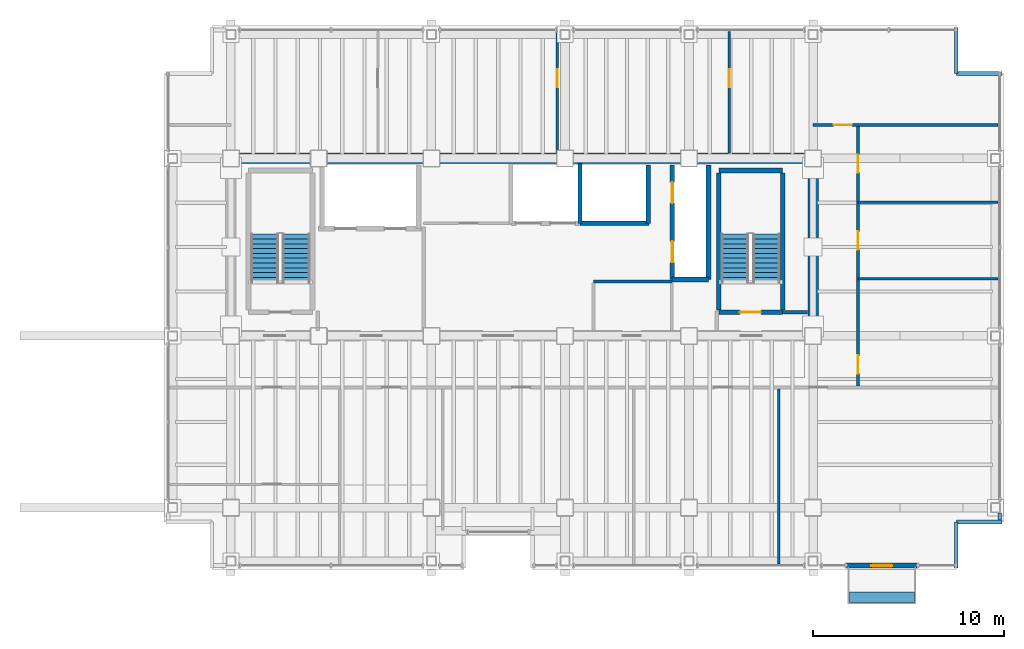
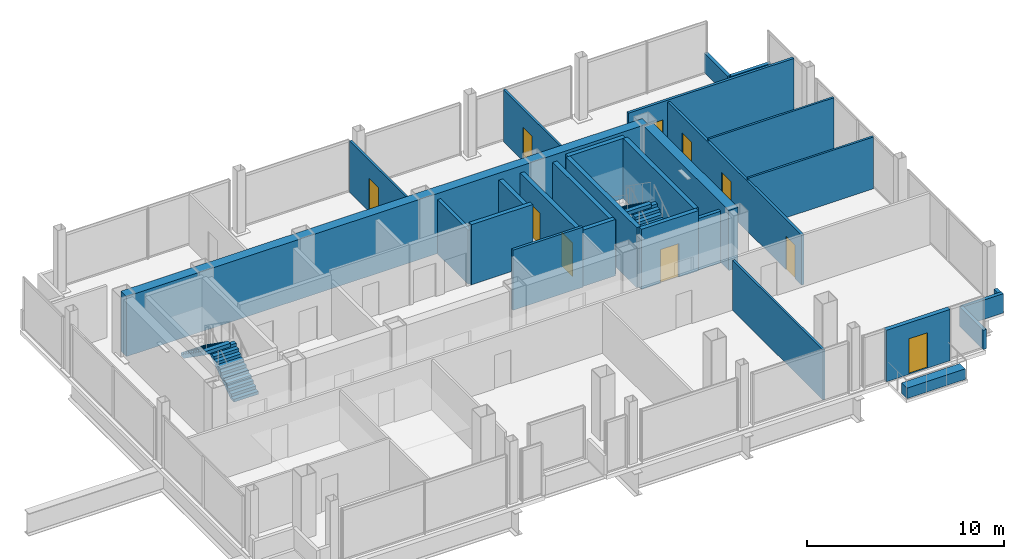
# One storey, part 17 of 19: 27 walls, 10 doors, 4 stair flights, 1 discrete accessory, 10 openings, 2 elements without a shape of their own.
"""IFC4 building model written with IfcOpenShell, lengths in metres."""

from ifc_helpers import new_model, si_unit, direction, frame, frame_2d, origin, origin_2d, place, context, subcontext, project, spatial, polyline, rectangle, outline, extrude, material, layer, layer_set, type_object, element, fill, aggregate, save


model = new_model("IFC4")

# Units and contexts
model_context = context("Model", 3, precision=1e-05, world=origin(), true_north=direction((0.0, 1.0)))
body_context = subcontext(model_context, "Body", "Model", "MODEL_VIEW")
ifc_project = project(units=[si_unit("LENGTHUNIT", "METRE"), si_unit("AREAUNIT", "SQUARE_METRE"), si_unit("VOLUMEUNIT", "CUBIC_METRE"), si_unit("PLANEANGLEUNIT", "RADIAN"), si_unit("MASSUNIT", "GRAM", prefix="KILO")], contexts=[model_context])

# Site, building, storey
site_placement = place(None, origin())
site = spatial("IfcSite", under=ifc_project, at=site_placement, CompositionType="ELEMENT")
building_placement = place(site_placement, origin())
building = spatial("IfcBuilding", under=site, at=building_placement, Name="Noeulbin Bourse Tower", CompositionType="ELEMENT")
storey_placement = place(building_placement, frame((0.0, 0.0, 169.5)))
storey = spatial("IfcBuildingStorey", under=building, at=storey_placement, Name="L42", CompositionType="ELEMENT", Elevation=169.5)

# Walls
ifc_material_1 = material(Name="Concrete C60/75", Category="concrete")
ifc_layer_1 = layer(ifc_material_1, 0.550048828125)
ifc_layer_set_1 = layer_set([ifc_layer_1], Name="Concrete C60/75")
wall_type_1 = type_object("IfcWallType", Name="WAL-CORE-550", PredefinedType="SHEAR", material=ifc_layer_set_1)
wall_1_placement = place(storey_placement, frame((13.5, 38.300048828125, 0.0), z_axis=(0.0, 0.0, 1.0), x_axis=(1.0, 0.0, 0.0)))
element("IfcWall", 1, at=wall_1_placement, inside=storey, type_object=wall_type_1, Name="Rear Core North Shear Wall L42", PredefinedType="SHEAR", context=body_context, shape_type="SweptSolid", body=[
    extrude(rectangle(XDim=30.5, YDim=0.550048828125, at=frame_2d((15.25, 0.0))), origin(), (0.0, 0.0, 1.0), 3.719970703125),
])
wall_2_placement = place(storey_placement, frame((44.0, 29.35009765625, 0.0), z_axis=(0.0, 0.0, 1.0), x_axis=(0.0, 1.0, 0.0)))
element("IfcWall", 2, at=wall_2_placement, inside=storey, type_object=wall_type_1, Name="Rear Core East Shear Wall L42", PredefinedType="SHEAR", context=body_context, shape_type="SweptSolid", body=[
    extrude(rectangle(XDim=8.599853515625, YDim=0.550048828125, at=frame_2d((4.2998046875, 0.0))), origin(), (0.0, 0.0, 1.0), 3.719970703125),
])

# Wall, opening, door
ifc_material_2 = material(Name="Precast Concrete C40/50", Category="concrete")
ifc_layer_2 = layer(ifc_material_2, 0.25)
ifc_layer_set_2 = layer_set([ifc_layer_2], Name="Precast Concrete C40/50")
wall_type_2 = type_object("IfcWallType", Name="WAL-EXT-250", PredefinedType="STANDARD", material=ifc_layer_set_2)
wall_3_placement = place(storey_placement, frame((45.75, 16.969970703125, 0.0), z_axis=(0.0, 0.0, 1.0), x_axis=(1.0, 0.0, 0.0)))
wall_3 = element("IfcWall", 3, at=wall_3_placement, inside=storey, type_object=wall_type_2, Name="Balcony Threshold Wall L42", PredefinedType="STANDARD", context=body_context, shape_type="SweptSolid", body=[
    extrude(rectangle(XDim=3.699951171875, YDim=0.25, at=frame_2d((1.85009765625, 0.0))), origin(), (0.0, 0.0, 1.0), 3.179931640625),
])
opening_1_placement = place(wall_3_placement, frame((1.300048828125, 0.0, 0.0)))
opening_1 = element("IfcOpeningElement", 4, at=opening_1_placement, cuts=wall_3, Name="Opening BD-11", PredefinedType="OPENING", context=body_context, shape_type="SweptSolid", body=[
    extrude(rectangle(XDim=1.10009765625, YDim=2.199951171875, at=frame_2d((0.550048828125, 1.10009765625))), frame((0.0, 0.135009765625, 0.0), z_axis=(0.0, -1.0, 0.0), x_axis=(1.0, 0.0, 0.0)), (0.0, 0.0, 1.0), 0.27001953125),
])
ifc_material_3 = material(Name="Thermally Broken Aluminium Framed Glass", Category="aluminium")
door_type_1 = type_object("IfcDoorType", Name="DR-BAL-1100", OperationType="SINGLE_SWING_LEFT", PredefinedType="DOOR", material=ifc_material_3)
door_1_placement = place(opening_1_placement, origin())
door_1 = element("IfcDoor", 5, at=door_1_placement, inside=storey, type_object=door_type_1, Name="Tree-Balcony Access Door BD-L42", OperationType="SINGLE_SWING_RIGHT", OverallHeight=2.199951171875, OverallWidth=1.10009765625, PredefinedType="DOOR", context=body_context, shape_type="SweptSolid", body=[
    extrude(rectangle(XDim=1.10009765625, YDim=2.199951171875, at=frame_2d((0.550048828125, 1.10009765625))), frame((0.0, 0.02490234375, 0.0), z_axis=(0.0, -1.0, 0.0), x_axis=(1.0, 0.0, 0.0)), (0.0, 0.0, 1.0), 0.050048828125),
])
fill(opening_1, door_1)

# Walls
ifc_material_4 = material(Name="Concrete C40/50", Category="concrete")
ifc_layer_3 = layer(ifc_material_4, 0.199951171875)
ifc_layer_set_3 = layer_set([ifc_layer_3], Name="Concrete C40/50")
wall_type_3 = type_object("IfcWallType", Name="WAL-FIRE-200", PredefinedType="STANDARD", material=ifc_layer_set_3)
wall_4_placement = place(storey_placement, frame((42.39990234375, 30.239990234375, 0.0), z_axis=(0.0, 0.0, 1.0), x_axis=(1.0, 0.0, 0.0)))
element("IfcWall", 6, at=wall_4_placement, inside=storey, type_object=wall_type_3, Name="Interior Partition Wall L42-01", PredefinedType="STANDARD", context=body_context, shape_type="SweptSolid", body=[
    extrude(rectangle(XDim=1.315185546875, YDim=0.199951171875, at=frame_2d((0.65771484375, 0.0))), origin(), (0.0, 0.0, 1.0), 3.199951171875),
])
ifc_layer_4 = layer(ifc_material_4, 0.199951171875)
ifc_layer_set_4 = layer_set([ifc_layer_4], Name="Concrete C40/50")
wall_type_4 = type_object("IfcWallType", Name="WAL-PAR-200", PredefinedType="PARAPET", material=ifc_layer_set_4)
wall_5_placement = place(storey_placement, frame((53.780029296875, 19.35009765625, 0.0), z_axis=(0.0, 0.0, 1.0), x_axis=(0.0, 1.0, 0.0)))
element("IfcWall", 7, at=wall_5_placement, inside=storey, type_object=wall_type_4, Name="Perimeter Pier Spandrel Parapet L42-E3", PredefinedType="PARAPET", context=body_context, shape_type="SweptSolid", body=[
    extrude(rectangle(XDim=0.3798828125, YDim=0.199951171875, at=frame_2d((0.18994140625, 0.0))), origin(), (0.0, 0.0, 1.0), 1.199951171875),
])
for number, where, z_axis, x_axis, name in (
    (8, (51.5, 16.85009765625, 0.0), (0.0, 0.0, 1.0), (0.0, 1.0, 0.0), "Corner Notch Parapet L42-SE1"),
    (9, (51.5, 19.25, 0.0), (0.0, 0.0, 1.0), (1.0, 0.0, 0.0), "Corner Notch Parapet L42-SE2"),
    (10, (51.5, 45.14990234375, 0.0), (0.0, 0.0, 1.0), (0.0, -1.0, 0.0), "Corner Notch Parapet L42-NE1"),
    (11, (51.5, 42.75, 0.0), (0.0, 0.0, 1.0), (1.0, 0.0, 0.0), "Corner Notch Parapet L42-NE2"),
):
    element("IfcWall", number, at=place(storey_placement, frame(where, z_axis=z_axis, x_axis=x_axis)), inside=storey, type_object=wall_type_4, Name=name, PredefinedType="PARAPET", context=body_context, shape_type="SweptSolid", body=[
        extrude(rectangle(XDim=2.39990234375, YDim=0.199951171875, at=frame_2d((1.199951171875, 0.0))), origin(), (0.0, 0.0, 1.0), 1.199951171875),
    ])
ifc_material_5 = material(Name="Steel Stud Gypsum Partition", Category="steel")
ifc_layer_5 = layer(ifc_material_5, 0.1201171875)
ifc_layer_set_5 = layer_set([ifc_layer_5], Name="Steel Stud Gypsum Partition")
wall_type_5 = type_object("IfcWallType", Name="WAL-PRT-120", PredefinedType="PARTITIONING", material=ifc_layer_set_5)
for number, where, z_axis, x_axis, name in (
    (12, (46.35009765625, 32.0, 0.0), (0.0, 0.0, 1.0), (1.0, 0.0, 0.0), "Interior Partition Wall L42-06"),
    (13, (46.35009765625, 36.0, 0.0), (0.0, 0.0, 1.0), (1.0, 0.0, 0.0), "Interior Partition Wall L42-07"),
):
    element("IfcWall", number, at=place(storey_placement, frame(where, z_axis=z_axis, x_axis=x_axis)), inside=storey, type_object=wall_type_5, Name=name, PredefinedType="PARTITIONING", context=body_context, shape_type="SweptSolid", body=[
        extrude(rectangle(XDim=7.33984375, YDim=0.1201171875, at=frame_2d((3.669921875, 0.0))), origin(), (0.0, 0.0, 1.0), 3.2119140625),
    ])
wall_6_placement = place(storey_placement, frame((42.199951171875, 17.06005859375, 0.0), z_axis=(0.0, 0.0, 1.0), x_axis=(0.0, 1.0, 0.0)))
element("IfcWall", 14, at=wall_6_placement, inside=storey, type_object=wall_type_5, Name="Interior Partition Wall L42-19", PredefinedType="PARTITIONING", context=body_context, shape_type="SweptSolid", body=[
    extrude(rectangle(XDim=9.155029296875, YDim=0.1201171875, at=frame_2d((4.57763671875, 0.0))), origin(), (0.0, 0.0, 1.0), 3.10009765625),
])

# Wall, opening, door
wall_7_placement = place(storey_placement, frame((30.60009765625, 38.5849609375, 0.0), z_axis=(0.0, 0.0, 1.0), x_axis=(0.0, 1.0, 0.0)))
wall_7 = element("IfcWall", 15, at=wall_7_placement, inside=storey, type_object=wall_type_5, Name="Interior Partition Wall L42-21", PredefinedType="PARTITIONING", context=body_context, shape_type="SweptSolid", body=[
    extrude(rectangle(XDim=6.35498046875, YDim=0.1201171875, at=frame_2d((3.177490234375, 0.0))), origin(), (0.0, 0.0, 1.0), 3.199951171875),
])
opening_2_placement = place(wall_7_placement, frame((3.43505859375, 0.0, 0.0)))
opening_2 = element("IfcOpeningElement", 16, at=opening_2_placement, cuts=wall_7, Name="Opening ID-09", PredefinedType="OPENING", context=body_context, shape_type="SweptSolid", body=[
    extrude(rectangle(XDim=0.949951171875, YDim=2.080078125, at=frame_2d((0.47509765625, 1.0400390625))), frame((0.0, 0.070068359375, 0.0), z_axis=(0.0, -1.0, 0.0), x_axis=(1.0, 0.0, 0.0)), (0.0, 0.0, 1.0), 0.14013671875),
])
ifc_material_6 = material(Name="Acoustic Solid-Core Timber", Category="wood")
door_type_2 = type_object("IfcDoorType", Name="DR-SINGLE-950", OperationType="SINGLE_SWING_LEFT", PredefinedType="DOOR", material=ifc_material_6)
door_2_placement = place(opening_2_placement, origin())
door_2 = element("IfcDoor", 17, at=door_2_placement, inside=storey, type_object=door_type_2, Name="Interior Door L42-18", OperationType="SINGLE_SWING_LEFT", OverallHeight=2.080078125, OverallWidth=0.949951171875, PredefinedType="DOOR", context=body_context, shape_type="SweptSolid", body=[
    extrude(rectangle(XDim=0.949951171875, YDim=2.080078125, at=frame_2d((0.47509765625, 1.0400390625))), frame((0.0, 0.02490234375, 0.0), z_axis=(0.0, -1.0, 0.0), x_axis=(1.0, 0.0, 0.0)), (0.0, 0.0, 1.0), 0.050048828125),
])
fill(opening_2, door_2)

wall_8_placement = place(storey_placement, frame((39.60009765625, 38.5849609375, 0.0), z_axis=(0.0, 0.0, 1.0), x_axis=(0.0, 1.0, 0.0)))
wall_8 = element("IfcWall", 18, at=wall_8_placement, inside=storey, type_object=wall_type_5, Name="Interior Partition Wall L42-22", PredefinedType="PARTITIONING", context=body_context, shape_type="SweptSolid", body=[
    extrude(rectangle(XDim=6.35498046875, YDim=0.1201171875, at=frame_2d((3.177490234375, 0.0))), origin(), (0.0, 0.0, 1.0), 3.2119140625),
])
opening_3_placement = place(wall_8_placement, frame((3.43505859375, 0.0, 0.0)))
opening_3 = element("IfcOpeningElement", 19, at=opening_3_placement, cuts=wall_8, Name="Opening ID-09", PredefinedType="OPENING", context=body_context, shape_type="SweptSolid", body=[
    extrude(rectangle(XDim=0.949951171875, YDim=2.080078125, at=frame_2d((0.47509765625, 1.0400390625))), frame((0.0, 0.070068359375, 0.0), z_axis=(0.0, -1.0, 0.0), x_axis=(1.0, 0.0, 0.0)), (0.0, 0.0, 1.0), 0.14013671875),
])
door_3_placement = place(opening_3_placement, origin())
door_3 = element("IfcDoor", 20, at=door_3_placement, inside=storey, type_object=door_type_2, Name="Interior Door L42-19", OperationType="SINGLE_SWING_RIGHT", OverallHeight=2.080078125, OverallWidth=0.949951171875, PredefinedType="DOOR", context=body_context, shape_type="SweptSolid", body=[
    extrude(rectangle(XDim=0.949951171875, YDim=2.080078125, at=frame_2d((0.47509765625, 1.0400390625))), frame((0.0, 0.02490234375, 0.0), z_axis=(0.0, -1.0, 0.0), x_axis=(1.0, 0.0, 0.0)), (0.0, 0.0, 1.0), 0.050048828125),
])
fill(opening_3, door_3)

# Wall
ifc_material_7 = material(Name="Steel Stud Acoustic Gypsum Board", Category="steel")
ifc_layer_6 = layer(ifc_material_7, 0.14990234375)
ifc_layer_set_6 = layer_set([ifc_layer_6], Name="Steel Stud Acoustic Gypsum Board")
wall_type_6 = type_object("IfcWallType", Name="WAL-PRT-150", PredefinedType="PARTITIONING", material=ifc_layer_set_6)
wall_9_placement = place(storey_placement, frame((32.5, 31.85009765625, 0.0), z_axis=(0.0, 0.0, 1.0), x_axis=(1.0, 0.0, 0.0)))
element("IfcWall", 21, at=wall_9_placement, inside=storey, type_object=wall_type_6, Name="Interior Partition Wall L42-03", PredefinedType="PARTITIONING", context=body_context, shape_type="SweptSolid", body=[
    extrude(rectangle(XDim=4.10009765625, YDim=0.14990234375, at=frame_2d((2.050048828125, 0.0))), origin(), (0.0, 0.0, 1.0), 3.719970703125),
])

# Wall, opening, door
wall_10_placement = place(storey_placement, frame((44.0, 40.050048828125, 0.0), z_axis=(0.0, 0.0, 1.0), x_axis=(1.0, 0.0, 0.0)))
wall_10 = element("IfcWall", 22, at=wall_10_placement, inside=storey, type_object=wall_type_6, Name="Interior Partition Wall L42-09", PredefinedType="PARTITIONING", context=body_context, shape_type="SweptSolid", body=[
    extrude(rectangle(XDim=9.68994140625, YDim=0.14990234375, at=frame_2d((4.844970703125, 0.0))), origin(), (0.0, 0.0, 1.0), 3.199951171875),
])
opening_4_placement = place(wall_10_placement, frame((1.074951171875, 0.0, 0.0)))
opening_4 = element("IfcOpeningElement", 23, at=opening_4_placement, cuts=wall_10, Name="Opening ID-09", PredefinedType="OPENING", context=body_context, shape_type="SweptSolid", body=[
    extrude(rectangle(XDim=0.949951171875, YDim=2.080078125, at=frame_2d((0.47509765625, 1.0400390625))), frame((0.0, 0.0849609375, 0.0), z_axis=(0.0, -1.0, 0.0), x_axis=(1.0, 0.0, 0.0)), (0.0, 0.0, 1.0), 0.169921875),
])
door_4_placement = place(opening_4_placement, origin())
door_4 = element("IfcDoor", 24, at=door_4_placement, inside=storey, type_object=door_type_2, Name="Interior Door L42-16", OperationType="SINGLE_SWING_LEFT", OverallHeight=2.080078125, OverallWidth=0.949951171875, PredefinedType="DOOR", context=body_context, shape_type="SweptSolid", body=[
    extrude(rectangle(XDim=0.949951171875, YDim=2.080078125, at=frame_2d((0.47509765625, 1.0400390625))), frame((0.0, 0.02490234375, 0.0), z_axis=(0.0, -1.0, 0.0), x_axis=(1.0, 0.0, 0.0)), (0.0, 0.0, 1.0), 0.050048828125),
])
fill(opening_4, door_4)

# Wall, openings, doors
wall_11_placement = place(storey_placement, frame((46.35009765625, 26.385009765625, 0.0), z_axis=(0.0, 0.0, 1.0), x_axis=(0.0, 1.0, 0.0)))
wall_11 = element("IfcWall", 25, at=wall_11_placement, inside=storey, type_object=wall_type_6, Name="Interior Partition Wall L42-15", PredefinedType="PARTITIONING", context=body_context, shape_type="SweptSolid", body=[
    extrude(rectangle(XDim=13.580078125, YDim=0.14990234375, at=frame_2d((6.7900390625, 0.0))), origin(), (0.0, 0.0, 1.0), 3.10009765625),
])
opening_5_placement = place(wall_11_placement, frame((0.639892578125, 0.0, 0.0)))
opening_5 = element("IfcOpeningElement", 26, at=opening_5_placement, cuts=wall_11, Name="Opening ID-09", PredefinedType="OPENING", context=body_context, shape_type="SweptSolid", body=[
    extrude(rectangle(XDim=0.949951171875, YDim=2.080078125, at=frame_2d((0.47509765625, 1.0400390625))), frame((0.0, 0.0849609375, 0.0), z_axis=(0.0, -1.0, 0.0), x_axis=(1.0, 0.0, 0.0)), (0.0, 0.0, 1.0), 0.169921875),
])
opening_6_placement = place(wall_11_placement, frame((7.139892578125, 0.0, 0.0)))
opening_6 = element("IfcOpeningElement", 27, at=opening_6_placement, cuts=wall_11, Name="Opening ID-09", PredefinedType="OPENING", context=body_context, shape_type="SweptSolid", body=[
    extrude(rectangle(XDim=0.949951171875, YDim=2.080078125, at=frame_2d((0.47509765625, 1.0400390625))), frame((0.0, 0.0849609375, 0.0), z_axis=(0.0, -1.0, 0.0), x_axis=(1.0, 0.0, 0.0)), (0.0, 0.0, 1.0), 0.169921875),
])
opening_7_placement = place(wall_11_placement, frame((11.1650390625, 0.0, 0.0)))
opening_7 = element("IfcOpeningElement", 28, at=opening_7_placement, cuts=wall_11, Name="Opening ID-09", PredefinedType="OPENING", context=body_context, shape_type="SweptSolid", body=[
    extrude(rectangle(XDim=0.949951171875, YDim=2.080078125, at=frame_2d((0.47509765625, 1.0400390625))), frame((0.0, 0.0849609375, 0.0), z_axis=(0.0, -1.0, 0.0), x_axis=(1.0, 0.0, 0.0)), (0.0, 0.0, 1.0), 0.169921875),
])
door_5_placement = place(opening_5_placement, origin())
door_5 = element("IfcDoor", 29, at=door_5_placement, inside=storey, type_object=door_type_2, Name="Interior Door L42-13", OperationType="SINGLE_SWING_RIGHT", OverallHeight=2.080078125, OverallWidth=0.949951171875, PredefinedType="DOOR", context=body_context, shape_type="SweptSolid", body=[
    extrude(rectangle(XDim=0.949951171875, YDim=2.080078125, at=frame_2d((0.47509765625, 1.0400390625))), frame((0.0, 0.02490234375, 0.0), z_axis=(0.0, -1.0, 0.0), x_axis=(1.0, 0.0, 0.0)), (0.0, 0.0, 1.0), 0.050048828125),
])
fill(opening_5, door_5)
door_6_placement = place(opening_6_placement, origin())
door_6 = element("IfcDoor", 30, at=door_6_placement, inside=storey, type_object=door_type_2, Name="Interior Door L42-14", OperationType="SINGLE_SWING_LEFT", OverallHeight=2.080078125, OverallWidth=0.949951171875, PredefinedType="DOOR", context=body_context, shape_type="SweptSolid", body=[
    extrude(rectangle(XDim=0.949951171875, YDim=2.080078125, at=frame_2d((0.47509765625, 1.0400390625))), frame((0.0, 0.02490234375, 0.0), z_axis=(0.0, -1.0, 0.0), x_axis=(1.0, 0.0, 0.0)), (0.0, 0.0, 1.0), 0.050048828125),
])
fill(opening_6, door_6)
door_7_placement = place(opening_7_placement, origin())
door_7 = element("IfcDoor", 31, at=door_7_placement, inside=storey, type_object=door_type_2, Name="Interior Door L42-15", OperationType="SINGLE_SWING_RIGHT", OverallHeight=2.080078125, OverallWidth=0.949951171875, PredefinedType="DOOR", context=body_context, shape_type="SweptSolid", body=[
    extrude(rectangle(XDim=0.949951171875, YDim=2.080078125, at=frame_2d((0.47509765625, 1.0400390625))), frame((0.0, 0.02490234375, 0.0), z_axis=(0.0, -1.0, 0.0), x_axis=(1.0, 0.0, 0.0)), (0.0, 0.0, 1.0), 0.050048828125),
])
fill(opening_7, door_7)

# Wall, opening, door
ifc_layer_7 = layer(ifc_material_4, 0.25)
ifc_layer_set_7 = layer_set([ifc_layer_7], Name="Concrete C40/50")
wall_type_7 = type_object("IfcWallType", Name="WAL-SHFT-250", PredefinedType="STANDARD", material=ifc_layer_set_7)
wall_12_placement = place(storey_placement, frame((39.06005859375, 30.235107421875, 0.0), z_axis=(0.0, 0.0, 1.0), x_axis=(1.0, 0.0, 0.0)))
wall_12 = element("IfcWall", 32, at=wall_12_placement, inside=storey, type_object=wall_type_7, Name="Stair ST-2 South Shaft Wall L42", PredefinedType="STANDARD", context=body_context, shape_type="SweptSolid", body=[
    extrude(rectangle(XDim=3.33984375, YDim=0.25, at=frame_2d((1.669921875, 0.0))), origin(), (0.0, 0.0, 1.0), 3.719970703125),
])
opening_8_placement = place(wall_12_placement, frame((1.10009765625, 0.0, 0.0)))
opening_8 = element("IfcOpeningElement", 33, at=opening_8_placement, cuts=wall_12, Name="Opening FD-11", PredefinedType="OPENING", context=body_context, shape_type="SweptSolid", body=[
    extrude(rectangle(XDim=1.10009765625, YDim=2.080078125, at=frame_2d((0.550048828125, 1.0400390625))), frame((0.0, 0.135009765625, 0.0), z_axis=(0.0, -1.0, 0.0), x_axis=(1.0, 0.0, 0.0)), (0.0, 0.0, 1.0), 0.27001953125),
])
ifc_material_8 = material(Name="Fire-Rated Insulated Steel", Category="steel")
door_type_3 = type_object("IfcDoorType", Name="DR-FD60-1100", OperationType="SINGLE_SWING_LEFT", PredefinedType="DOOR", material=ifc_material_8)
door_8_placement = place(opening_8_placement, origin())
door_8 = element("IfcDoor", 34, at=door_8_placement, inside=storey, type_object=door_type_3, Name="Protected Stair Entry Door ST2-L42", OperationType="SINGLE_SWING_LEFT", OverallHeight=2.080078125, OverallWidth=1.10009765625, PredefinedType="DOOR", context=body_context, shape_type="SweptSolid", body=[
    extrude(rectangle(XDim=1.10009765625, YDim=2.080078125, at=frame_2d((0.550048828125, 1.0400390625))), frame((0.0, 0.02490234375, 0.0), z_axis=(0.0, -1.0, 0.0), x_axis=(1.0, 0.0, 0.0)), (0.0, 0.0, 1.0), 0.050048828125),
])
fill(opening_8, door_8)

# Walls
wall_13_placement = place(storey_placement, frame((39.06005859375, 37.6689453125, 0.0), z_axis=(0.0, 0.0, 1.0), x_axis=(1.0, 0.0, 0.0)))
element("IfcWall", 35, at=wall_13_placement, inside=storey, type_object=wall_type_7, Name="Stair ST-2 North Shaft Wall L42", PredefinedType="STANDARD", context=body_context, shape_type="SweptSolid", body=[
    extrude(rectangle(XDim=3.33984375, YDim=0.25, at=frame_2d((1.669921875, 0.0))), origin(), (0.0, 0.0, 1.0), 3.719970703125),
])
for number, where, z_axis, x_axis, name in (
    (36, (39.054931640625, 30.360107421875, 0.0), (0.0, 0.0, 1.0), (0.0, 1.0, 0.0), "Stair ST-2 West Shaft Wall L42"),
    (37, (42.405029296875, 30.360107421875, 0.0), (0.0, 0.0, 1.0), (0.0, 1.0, 0.0), "Stair ST-2 East Shaft Wall L42"),
):
    element("IfcWall", number, at=place(storey_placement, frame(where, z_axis=z_axis, x_axis=x_axis)), inside=storey, type_object=wall_type_7, Name=name, PredefinedType="STANDARD", context=body_context, shape_type="SweptSolid", body=[
        extrude(rectangle(XDim=7.183837890625, YDim=0.25, at=frame_2d((3.591796875, 0.0))), origin(), (0.0, 0.0, 1.0), 3.719970703125),
    ])

# Wall, openings, doors
wall_14_placement = place(storey_placement, frame((36.6201171875, 31.949951171875, 0.0), z_axis=(0.0, 0.0, 1.0), x_axis=(0.0, 1.0, 0.0)))
wall_14 = element("IfcWall", 38, at=wall_14_placement, inside=storey, type_object=wall_type_7, Name="Service Lift Shaft Wall L42", PredefinedType="STANDARD", context=body_context, shape_type="SweptSolid", body=[
    extrude(rectangle(XDim=6.0, YDim=0.25, at=frame_2d((3.0, 0.0))), origin(), (0.0, 0.0, 1.0), 3.35009765625),
])
opening_9_placement = place(wall_14_placement, frame((0.89990234375, 0.0, 0.0)))
opening_9 = element("IfcOpeningElement", 39, at=opening_9_placement, cuts=wall_14, Name="Opening LD-11", PredefinedType="OPENING", context=body_context, shape_type="SweptSolid", body=[
    extrude(rectangle(XDim=1.10009765625, YDim=2.080078125, at=frame_2d((0.550048828125, 1.0400390625))), frame((0.0, 0.135009765625, 0.0), z_axis=(0.0, -1.0, 0.0), x_axis=(1.0, 0.0, 0.0)), (0.0, 0.0, 1.0), 0.27001953125),
])
opening_10_placement = place(wall_14_placement, frame((4.0, 0.0, 0.0)))
opening_10 = element("IfcOpeningElement", 40, at=opening_10_placement, cuts=wall_14, Name="Opening LD-11", PredefinedType="OPENING", context=body_context, shape_type="SweptSolid", body=[
    extrude(rectangle(XDim=1.10009765625, YDim=2.080078125, at=frame_2d((0.550048828125, 1.0400390625))), frame((0.0, 0.135009765625, 0.0), z_axis=(0.0, -1.0, 0.0), x_axis=(1.0, 0.0, 0.0)), (0.0, 0.0, 1.0), 0.27001953125),
])
ifc_material_9 = material(Name="Brushed Stainless Steel 316", Category="steel")
door_type_4 = type_object("IfcDoorType", Name="DR-LIFT-1100", OperationType="SLIDING_TO_LEFT", PredefinedType="DOOR", material=ifc_material_9)
door_9_placement = place(opening_9_placement, origin())
door_9 = element("IfcDoor", 41, at=door_9_placement, inside=storey, type_object=door_type_4, Name="Lift Landing Door LD-EL-01-L42", OperationType="SLIDING_TO_LEFT", OverallHeight=2.080078125, OverallWidth=1.10009765625, PredefinedType="DOOR", context=body_context, shape_type="SweptSolid", body=[
    extrude(rectangle(XDim=1.10009765625, YDim=2.080078125, at=frame_2d((0.550048828125, 1.0400390625))), frame((0.0, 0.02490234375, 0.0), z_axis=(0.0, -1.0, 0.0), x_axis=(1.0, 0.0, 0.0)), (0.0, 0.0, 1.0), 0.050048828125),
])
fill(opening_9, door_9)
door_10_placement = place(opening_10_placement, origin())
door_10 = element("IfcDoor", 42, at=door_10_placement, inside=storey, type_object=door_type_4, Name="Lift Landing Door LD-SV-01-L42", OperationType="SLIDING_TO_LEFT", OverallHeight=2.080078125, OverallWidth=1.10009765625, PredefinedType="DOOR", context=body_context, shape_type="SweptSolid", body=[
    extrude(rectangle(XDim=1.10009765625, YDim=2.080078125, at=frame_2d((0.550048828125, 1.0400390625))), frame((0.0, 0.02490234375, 0.0), z_axis=(0.0, -1.0, 0.0), x_axis=(1.0, 0.0, 0.0)), (0.0, 0.0, 1.0), 0.050048828125),
])
fill(opening_10, door_10)

# Walls
wall_15_placement = place(storey_placement, frame((38.52001953125, 31.949951171875, 0.0), z_axis=(0.0, 0.0, 1.0), x_axis=(0.0, 1.0, 0.0)))
element("IfcWall", 43, at=wall_15_placement, inside=storey, type_object=wall_type_7, Name="Service Lift East Shaft Wall L42", PredefinedType="STANDARD", context=body_context, shape_type="SweptSolid", body=[
    extrude(rectangle(XDim=6.0, YDim=0.25, at=frame_2d((3.0, 0.0))), origin(), (0.0, 0.0, 1.0), 3.35009765625),
])
wall_16_placement = place(storey_placement, frame((36.6201171875, 31.949951171875, 0.0), z_axis=(0.0, 0.0, 1.0), x_axis=(1.0, 0.0, 0.0)))
element("IfcWall", 44, at=wall_16_placement, inside=storey, type_object=wall_type_7, Name="Service Lift South Shaft Wall L42", PredefinedType="STANDARD", context=body_context, shape_type="SweptSolid", body=[
    extrude(rectangle(XDim=1.89990234375, YDim=0.25, at=frame_2d((0.949951171875, 0.0))), origin(), (0.0, 0.0, 1.0), 3.47998046875),
])
wall_17_placement = place(storey_placement, frame((35.360107421875, 34.89990234375, 0.0), z_axis=(0.0, 0.0, 1.0), x_axis=(0.0, 1.0, 0.0)))
element("IfcWall", 45, at=wall_17_placement, inside=storey, type_object=wall_type_7, Name="High-Rise Lift East Shaft Wall L42", PredefinedType="STANDARD", context=body_context, shape_type="SweptSolid", body=[
    extrude(rectangle(XDim=3.050048828125, YDim=0.25, at=frame_2d((1.52490234375, 0.0))), origin(), (0.0, 0.0, 1.0), 3.35009765625),
])
wall_18_placement = place(storey_placement, frame((31.800048828125, 34.89990234375, 0.0), z_axis=(0.0, 0.0, 1.0), x_axis=(1.0, 0.0, 0.0)))
element("IfcWall", 46, at=wall_18_placement, inside=storey, type_object=wall_type_7, Name="High-Rise Lift Bank Front L42", PredefinedType="STANDARD", context=body_context, shape_type="SweptSolid", body=[
    extrude(rectangle(XDim=3.599853515625, YDim=0.25, at=frame_2d((1.7998046875, 0.0))), origin(), (0.0, 0.0, 1.0), 3.719970703125),
])
wall_19_placement = place(storey_placement, frame((31.780029296875, 34.89990234375, 0.0), z_axis=(0.0, 0.0, 1.0), x_axis=(0.0, 1.0, 0.0)))
element("IfcWall", 47, at=wall_19_placement, inside=storey, type_object=wall_type_7, Name="Hoistway Side Shaft Wall L42-PLHW", PredefinedType="STANDARD", context=body_context, shape_type="SweptSolid", body=[
    extrude(rectangle(XDim=3.1201171875, YDim=0.199951171875, at=frame_2d((1.56005859375, 0.0))), origin(), (0.0, 0.0, 1.0), 3.35009765625),
])

# Stair, stair flights
stair_type = type_object("IfcStairType", Name="STR-CORE-1560", PredefinedType="HALF_TURN_STAIR", material=ifc_material_4)
stair_1_placement = place(storey_placement, origin())
stair_1 = element("IfcStair", 48, at=stair_1_placement, inside=storey, type_object=stair_type, Name="L42 ST-1", PredefinedType="HALF_TURN_STAIR")
stair_flight_type = type_object("IfcStairFlightType", Name="SFL-CORE-1560", PredefinedType="STRAIGHT", material=ifc_material_4)
stair_flight_1_placement = place(storey_placement, frame((16.925048828125, 31.81005859375, 0.0), z_axis=(0.0, 0.0, 1.0), x_axis=(0.0, 1.0, 0.0)))
stair_flight_1 = element("IfcStairFlight", 49, at=stair_flight_1_placement, type_object=stair_flight_type, Name="ST-1 flight 1", NumberOfRisers=11, NumberOfTreads=10, PredefinedType="STRAIGHT", RiserHeight=0.177272727, TreadLength=0.252, context=body_context, shape_type="SweptSolid", body=[
    extrude(outline(polyline([(0.0, 0.0), (0.0, 0.17724609375), (0.251953125, 0.17724609375), (0.251953125, 0.3544921875), (0.50390625, 0.3544921875), (0.50390625, 0.53173828125), (0.756103515625, 0.53173828125), (0.756103515625, 0.708984375), (1.008056640625, 0.708984375), (1.008056640625, 0.886474609375), (1.260009765625, 0.886474609375), (1.260009765625, 1.063720703125), (1.511962890625, 1.063720703125), (1.511962890625, 1.240966796875), (1.763916015625, 1.240966796875), (1.763916015625, 1.418212890625), (2.01611328125, 1.418212890625), (2.01611328125, 1.595458984375), (2.26806640625, 1.595458984375), (2.26806640625, 1.772705078125), (2.52001953125, 1.772705078125), (2.52001953125, 1.949951171875), (2.52001953125, 1.552734375), (0.312744140625, 0.0), (0.0, 0.0)])), frame((0.0, 0.72509765625, 0.0), z_axis=(0.0, -1.0, 0.0), x_axis=(1.0, 0.0, 0.0)), (0.0, 0.0, 1.0), 1.449951171875),
])
stair_flight_2_placement = place(storey_placement, frame((15.27490234375, 34.330078125, 1.949951171875), z_axis=(0.0, 0.0, 1.0), x_axis=(0.0, -1.0, 0.0)))
stair_flight_2 = element("IfcStairFlight", 50, at=stair_flight_2_placement, type_object=stair_flight_type, Name="ST-1 flight 2", NumberOfRisers=11, NumberOfTreads=10, PredefinedType="STRAIGHT", RiserHeight=0.177272727, TreadLength=0.252, context=body_context, shape_type="SweptSolid", body=[
    extrude(outline(polyline([(0.0, 0.0), (0.0, 0.17724609375), (0.251953125, 0.17724609375), (0.251953125, 0.3544921875), (0.50390625, 0.3544921875), (0.50390625, 0.53173828125), (0.756103515625, 0.53173828125), (0.756103515625, 0.708984375), (1.008056640625, 0.708984375), (1.008056640625, 0.886474609375), (1.260009765625, 0.886474609375), (1.260009765625, 1.063720703125), (1.511962890625, 1.063720703125), (1.511962890625, 1.240966796875), (1.763916015625, 1.240966796875), (1.763916015625, 1.418212890625), (2.01611328125, 1.418212890625), (2.01611328125, 1.595458984375), (2.26806640625, 1.595458984375), (2.26806640625, 1.772705078125), (2.52001953125, 1.772705078125), (2.52001953125, 1.949951171875), (2.52001953125, 1.552734375), (0.312744140625, 0.0), (0.0, 0.0)])), frame((0.0, 0.72509765625, 0.0), z_axis=(0.0, -1.0, 0.0), x_axis=(1.0, 0.0, 0.0)), (0.0, 0.0, 1.0), 1.449951171875),
])
aggregate(stair_1, [stair_flight_1, stair_flight_2])

stair_2_placement = place(storey_placement, origin())
stair_2 = element("IfcStair", 51, at=stair_2_placement, inside=storey, type_object=stair_type, Name="L42 ST-2", PredefinedType="HALF_TURN_STAIR")
stair_flight_3_placement = place(storey_placement, frame((41.554931640625, 31.81005859375, 0.0), z_axis=(0.0, 0.0, 1.0), x_axis=(0.0, 1.0, 0.0)))
stair_flight_3 = element("IfcStairFlight", 52, at=stair_flight_3_placement, type_object=stair_flight_type, Name="ST-2 flight 1", NumberOfRisers=11, NumberOfTreads=10, PredefinedType="STRAIGHT", RiserHeight=0.177272727, TreadLength=0.252, context=body_context, shape_type="SweptSolid", body=[
    extrude(outline(polyline([(0.0, 0.0), (0.0, 0.17724609375), (0.251953125, 0.17724609375), (0.251953125, 0.3544921875), (0.50390625, 0.3544921875), (0.50390625, 0.53173828125), (0.756103515625, 0.53173828125), (0.756103515625, 0.708984375), (1.008056640625, 0.708984375), (1.008056640625, 0.886474609375), (1.260009765625, 0.886474609375), (1.260009765625, 1.063720703125), (1.511962890625, 1.063720703125), (1.511962890625, 1.240966796875), (1.763916015625, 1.240966796875), (1.763916015625, 1.418212890625), (2.01611328125, 1.418212890625), (2.01611328125, 1.595458984375), (2.26806640625, 1.595458984375), (2.26806640625, 1.772705078125), (2.52001953125, 1.772705078125), (2.52001953125, 1.949951171875), (2.52001953125, 1.552734375), (0.312744140625, 0.0), (0.0, 0.0)])), frame((0.0, 0.72509765625, 0.0), z_axis=(0.0, -1.0, 0.0), x_axis=(1.0, 0.0, 0.0)), (0.0, 0.0, 1.0), 1.449951171875),
])
stair_flight_4_placement = place(storey_placement, frame((39.905029296875, 34.330078125, 1.949951171875), z_axis=(0.0, 0.0, 1.0), x_axis=(0.0, -1.0, 0.0)))
stair_flight_4 = element("IfcStairFlight", 53, at=stair_flight_4_placement, type_object=stair_flight_type, Name="ST-2 flight 2", NumberOfRisers=11, NumberOfTreads=10, PredefinedType="STRAIGHT", RiserHeight=0.177272727, TreadLength=0.252, context=body_context, shape_type="SweptSolid", body=[
    extrude(outline(polyline([(0.0, 0.0), (0.0, 0.17724609375), (0.251953125, 0.17724609375), (0.251953125, 0.3544921875), (0.50390625, 0.3544921875), (0.50390625, 0.53173828125), (0.756103515625, 0.53173828125), (0.756103515625, 0.708984375), (1.008056640625, 0.708984375), (1.008056640625, 0.886474609375), (1.260009765625, 0.886474609375), (1.260009765625, 1.063720703125), (1.511962890625, 1.063720703125), (1.511962890625, 1.240966796875), (1.763916015625, 1.240966796875), (1.763916015625, 1.418212890625), (2.01611328125, 1.418212890625), (2.01611328125, 1.595458984375), (2.26806640625, 1.595458984375), (2.26806640625, 1.772705078125), (2.52001953125, 1.772705078125), (2.52001953125, 1.949951171875), (2.52001953125, 1.552734375), (0.312744140625, 0.0), (0.0, 0.0)])), frame((0.0, 0.72509765625, 0.0), z_axis=(0.0, -1.0, 0.0), x_axis=(1.0, 0.0, 0.0)), (0.0, 0.0, 1.0), 1.449951171875),
])
aggregate(stair_2, [stair_flight_3, stair_flight_4])

# Discrete accessory
ifc_material_10 = material(Name="Architectural GFRC Concrete C40/50", Category="concrete")
ifc_layer_8 = layer(ifc_material_10, 0.64990234375)
ifc_layer_set_8 = layer_set([ifc_layer_8], Name="Architectural GFRC Concrete C40/50")
discrete_accessory_type = type_object("IfcDiscreteAccessoryType", Name="PLANTER-BOX-3600", PredefinedType="USERDEFINED", material=ifc_layer_set_8)
discrete_accessory_placement = place(storey_placement, frame((47.60009765625, 15.31005859375, 0.0), z_axis=(0.0, 0.0, 1.0), x_axis=(1.0, 0.0, 0.0)))
element("IfcDiscreteAccessory", 54, at=discrete_accessory_placement, inside=storey, type_object=discrete_accessory_type, Name="Integrated Balcony Tree Planter Box L42", ObjectType="PLANTER", PredefinedType="USERDEFINED", context=body_context, shape_type="SweptSolid", body=[
    extrude(rectangle(XDim=3.39990234375, YDim=0.550048828125, at=origin_2d()), origin(), (0.0, 0.0, 1.0), 0.64990234375),
])

save(model, "model.ifc")
